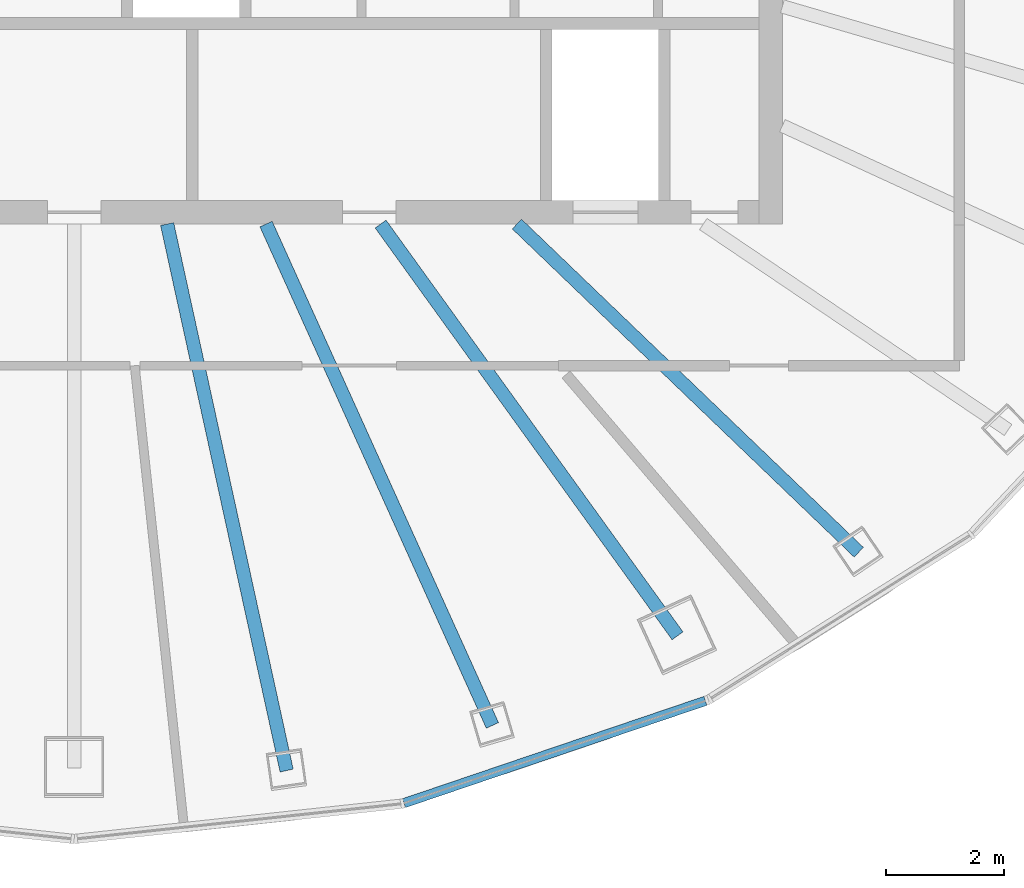
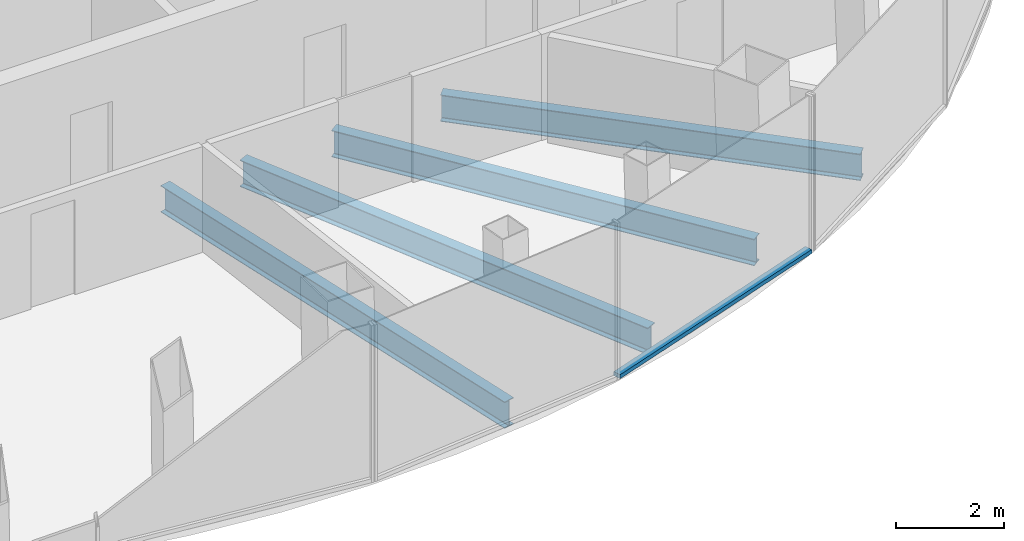
# One storey, part 3 of 12: 4 beams, 1 member, 1 element without a shape of its own.
"""IFC4 building model written with IfcOpenShell, lengths in metres."""

from ifc_helpers import new_model, si_unit, direction, frame, origin, origin_2d, place, context, subcontext, project, spatial, rectangle, i_section, extrude, material, layer, layer_set, material_profile, profile_set, type_object, element, aggregate, save


model = new_model("IFC4")

# Units and contexts
model_context = context("Model", 3, precision=1e-05, world=origin(), true_north=direction((0.0, 1.0)))
body_context = subcontext(model_context, "Body", "Model", "MODEL_VIEW")
ifc_project = project(units=[si_unit("LENGTHUNIT", "METRE"), si_unit("AREAUNIT", "SQUARE_METRE"), si_unit("VOLUMEUNIT", "CUBIC_METRE"), si_unit("PLANEANGLEUNIT", "RADIAN"), si_unit("MASSUNIT", "GRAM", prefix="KILO")], contexts=[model_context])

# Site, building, storey
site_placement = place(None, origin())
site = spatial("IfcSite", under=ifc_project, at=site_placement, CompositionType="ELEMENT")
building_placement = place(site_placement, origin())
building = spatial("IfcBuilding", under=site, at=building_placement, Name="Siaravel Broadcast Tower", CompositionType="ELEMENT")
storey_placement = place(building_placement, frame((0.0, 0.0, 235.60009765625)))
storey = spatial("IfcBuildingStorey", under=building, at=storey_placement, Name="L57", CompositionType="ELEMENT", Elevation=235.60009765625)

# Beams
ifc_material_1 = material(Name="Steel S355", Category="steel")
ifc_material_profile_1 = material_profile(ifc_material_1, i_section(OverallWidth=0.2275390625, OverallDepth=0.6025390625, WebThickness=0.010498046875, FlangeThickness=0.014892578125, FilletRadius=0.0126953125, at=origin_2d()))
ifc_profile_set_1 = profile_set([ifc_material_profile_1], Name="Steel S355")
beam_type = type_object("IfcBeamType", Name="BM-UB 610x229x101", PredefinedType="BEAM", material=ifc_profile_set_1)
beam_1_placement = place(storey_placement, frame((3.599609375, -16.461181640625, -0.451416015625), z_axis=(-0.213621611, 0.976916479, 0.0), x_axis=(-0.976916479, -0.213621611, 0.0)))
element("IfcBeam", 1, at=beam_1_placement, inside=storey, type_object=beam_type, Name="Radial beam RB29", PredefinedType="BEAM", context=body_context, shape_type="SweptSolid", body=[
    extrude(i_section(OverallWidth=0.2275390625, OverallDepth=0.6025390625, WebThickness=0.010498046875, FlangeThickness=0.014892578125, FilletRadius=0.0126953125, at=origin_2d()), origin(), (0.0, 0.0, 1.0), 9.47998046875),
])
beam_2_placement = place(storey_placement, frame((7.086669921875, -15.696044921875, -0.451416015625), z_axis=(-0.4114969, 0.911411159, 0.0), x_axis=(-0.911411159, -0.4114969, 0.0)))
element("IfcBeam", 2, at=beam_2_placement, inside=storey, type_object=beam_type, Name="Radial beam RB30", PredefinedType="BEAM", context=body_context, shape_type="SweptSolid", body=[
    extrude(i_section(OverallWidth=0.2275390625, OverallDepth=0.6025390625, WebThickness=0.010498046875, FlangeThickness=0.014892578125, FilletRadius=0.0126953125, at=origin_2d()), origin(), (0.0, 0.0, 1.0), 9.322021484375),
])
beam_3_placement = place(storey_placement, frame((10.2236328125, -14.177490234375, -0.451416015625), z_axis=(-0.584910141, 0.811098099, 0.0), x_axis=(-0.811098099, -0.584910141, 0.0)))
element("IfcBeam", 3, at=beam_3_placement, inside=storey, type_object=beam_type, Name="Radial beam RB31", PredefinedType="BEAM", context=body_context, shape_type="SweptSolid", body=[
    extrude(i_section(OverallWidth=0.2275390625, OverallDepth=0.6025390625, WebThickness=0.010498046875, FlangeThickness=0.014892578125, FilletRadius=0.0126953125, at=origin_2d()), origin(), (0.0, 0.0, 1.0), 8.6025390625),
])
beam_4_placement = place(storey_placement, frame((13.294921875, -12.76123046875, -0.451416015625), z_axis=(-0.721429237, 0.692488163, 0.0), x_axis=(-0.692488163, -0.721429237, 0.0)))
element("IfcBeam", 4, at=beam_4_placement, inside=storey, type_object=beam_type, Name="Radial beam RB32", PredefinedType="BEAM", context=body_context, shape_type="SweptSolid", body=[
    extrude(i_section(OverallWidth=0.2275390625, OverallDepth=0.6025390625, WebThickness=0.010498046875, FlangeThickness=0.014892578125, FilletRadius=0.0126953125, at=origin_2d()), origin(), (0.0, 0.0, 1.0), 8.03076171875),
])

# Curtain wall, member
ifc_material_2 = material(Name="Aluminium 6063-T6", Category="aluminium")
ifc_layer = layer(ifc_material_2, 0.159912109375)
ifc_layer_set = layer_set([ifc_layer], Name="Aluminium 6063-T6")
curtain_wall_type = type_object("IfcCurtainWallType", Name="Unitised curtain wall, zone 4", PredefinedType="NOTDEFINED", material=ifc_layer_set)
curtain_wall_placement = place(storey_placement, origin())
curtain_wall = element("IfcCurtainWall", 5, at=curtain_wall_placement, inside=storey, type_object=curtain_wall_type, Name="L57 Unitised curtain wall, zone 4 10", PredefinedType="NOTDEFINED")
ifc_material_profile_2 = material_profile(ifc_material_2, rectangle(XDim=0.159912109375, YDim=0.090087890625, at=origin_2d()))
ifc_profile_set_2 = profile_set([ifc_material_profile_2], Name="Aluminium 6063-T6")
member_type = type_object("IfcMemberType", Name="CW-Z4 transom", PredefinedType="USERDEFINED", material=ifc_profile_set_2)
member_placement = place(storey_placement, frame((5.5888671875, -17.012939453125, 0.044921875), z_axis=(0.946971812, 0.321316645, 0.0), x_axis=(-0.321316645, 0.946971812, 0.0)))
member = element("IfcMember", 6, at=member_placement, type_object=member_type, Name="CW-Z4 transom 2", ObjectType="TRANSOM", PredefinedType="USERDEFINED", context=body_context, shape_type="SweptSolid", body=[
    extrude(rectangle(XDim=0.159912109375, YDim=0.090087890625, at=origin_2d()), origin(), (0.0, 0.0, 1.0), 5.392333984375),
])
aggregate(curtain_wall, [member])

save(model, "model.ifc")
